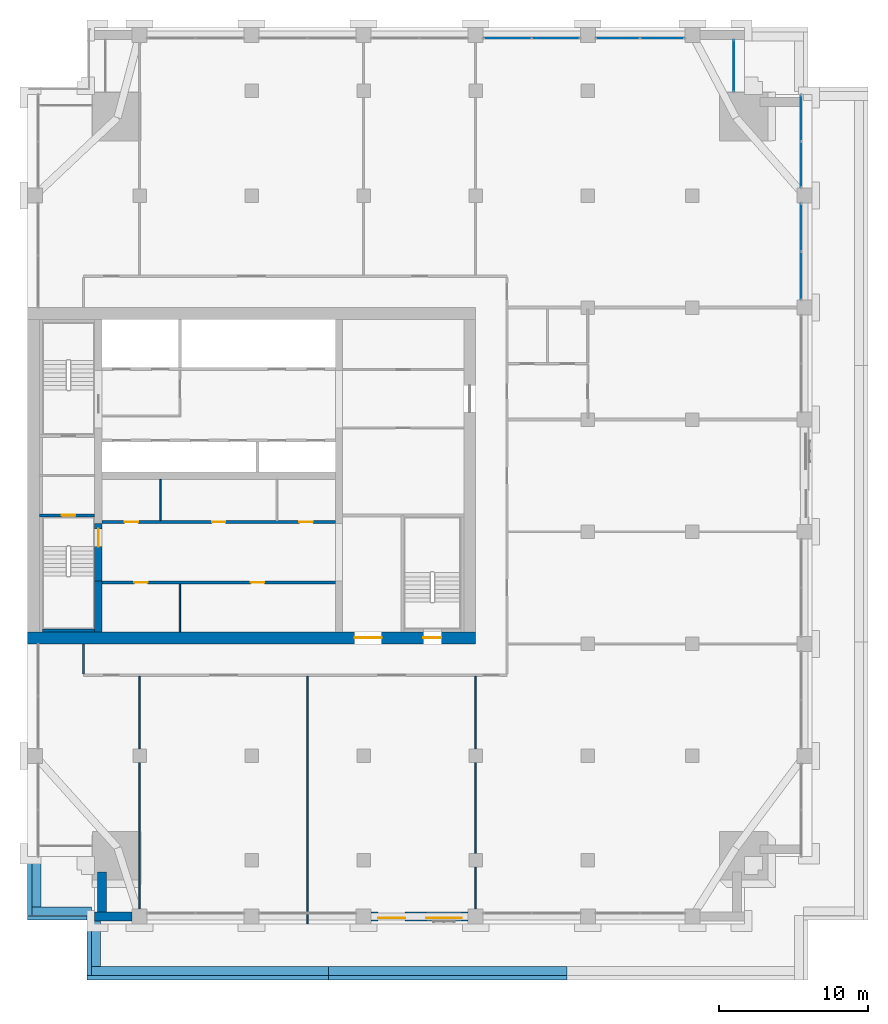
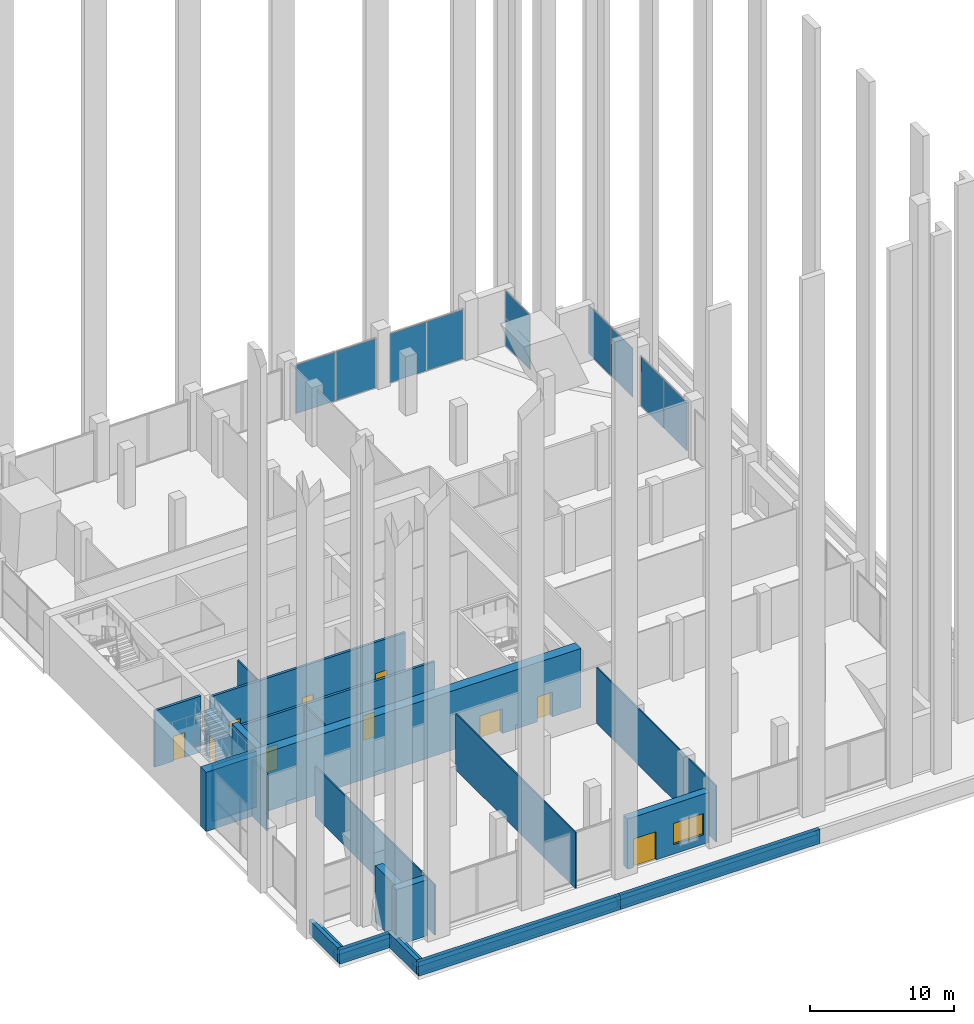
# One storey, part 10 of 19: 26 walls, 10 doors, 10 plates, 1 window, 11 openings, 5 elements without a shape of their own.
"""IFC4 building model written with IfcOpenShell, lengths in metres."""

from ifc_helpers import new_model, si_unit, direction, frame, frame_2d, origin, origin_2d, place, context, subcontext, project, spatial, rectangle, extrude, material, layer, layer_set, type_object, element, fill, aggregate, save


model = new_model("IFC4")

# Units and contexts
model_context = context("Model", 3, precision=1e-05, world=origin(), true_north=direction((0.0, 1.0)))
body_context = subcontext(model_context, "Body", "Model", "MODEL_VIEW")
ifc_project = project(units=[si_unit("LENGTHUNIT", "METRE"), si_unit("AREAUNIT", "SQUARE_METRE"), si_unit("VOLUMEUNIT", "CUBIC_METRE"), si_unit("PLANEANGLEUNIT", "RADIAN"), si_unit("MASSUNIT", "GRAM", prefix="KILO")], contexts=[model_context])

# Site, building, storey
site_placement = place(None, origin())
site = spatial("IfcSite", under=ifc_project, at=site_placement, CompositionType="ELEMENT")
building_placement = place(site_placement, origin())
building = spatial("IfcBuilding", under=site, at=building_placement, Name="Tamorin Gate", CompositionType="ELEMENT")
storey_placement = place(building_placement, frame((0.0, 0.0, 174.199951171875)))
storey = spatial("IfcBuildingStorey", under=building, at=storey_placement, Name="L42", CompositionType="ELEMENT", Elevation=174.199951171875)

# Curtain wall, plates
ifc_material_1 = material(Name="Aluminium mullions and transoms with clear glass", Category="aluminium")
ifc_layer_1 = layer(ifc_material_1, 0.159912109375)
ifc_layer_set_1 = layer_set([ifc_layer_1], Name="Curtain wall system CW2")
curtain_wall_type = type_object("IfcCurtainWallType", Name="Curtain wall system CW2", PredefinedType="NOTDEFINED", material=ifc_layer_set_1)
curtain_wall_1_placement = place(storey_placement, origin())
curtain_wall_1 = element("IfcCurtainWall", 1, at=curtain_wall_1_placement, inside=storey, type_object=curtain_wall_type, Name="Curtain wall", PredefinedType="NOTDEFINED")
ifc_material_2 = material(Name="Clear glass", Category="glass")
ifc_layer_2 = layer(ifc_material_2, 0.028076171875)
ifc_layer_set_2 = layer_set([ifc_layer_2], Name="Clear glass panel IGU 28")
plate_type = type_object("IfcPlateType", Name="Clear glass panel IGU 28", PredefinedType="CURTAIN_PANEL", material=ifc_layer_set_2)
plate_1_placement = place(storey_placement, frame((81.780029296875, 84.639892578125, 0.06005859375), z_axis=(0.0, 0.0, 1.0), x_axis=(0.0, 1.0, 0.0)))
plate_1 = element("IfcPlate", 2, at=plate_1_placement, type_object=plate_type, Name="CW2 panel 1.1", PredefinedType="CURTAIN_PANEL", context=body_context, shape_type="SweptSolid", body=[
    extrude(rectangle(XDim=3.159912109375, YDim=0.028076171875, at=origin_2d()), origin(), (0.0, 0.0, 1.0), 4.1298828125),
])
plate_2_placement = place(storey_placement, frame((81.780029296875, 87.860107421875, 0.06005859375), z_axis=(0.0, 0.0, 1.0), x_axis=(0.0, 1.0, 0.0)))
plate_2 = element("IfcPlate", 3, at=plate_2_placement, type_object=plate_type, Name="CW2 panel 2.1", PredefinedType="CURTAIN_PANEL", context=body_context, shape_type="SweptSolid", body=[
    extrude(rectangle(XDim=3.159912109375, YDim=0.028076171875, at=origin_2d()), origin(), (0.0, 0.0, 1.0), 4.1298828125),
])
aggregate(curtain_wall_1, [plate_1, plate_2])

curtain_wall_2_placement = place(storey_placement, origin())
curtain_wall_2 = element("IfcCurtainWall", 4, at=curtain_wall_2_placement, inside=storey, type_object=curtain_wall_type, Name="Curtain wall", PredefinedType="NOTDEFINED")
plate_3_placement = place(storey_placement, frame((81.780029296875, 92.077392578125, 0.06005859375), z_axis=(0.0, 0.0, 1.0), x_axis=(0.0, 1.0, 0.0)))
plate_3 = element("IfcPlate", 5, at=plate_3_placement, type_object=plate_type, Name="CW2 panel 1.1", PredefinedType="CURTAIN_PANEL", context=body_context, shape_type="SweptSolid", body=[
    extrude(rectangle(XDim=3.034912109375, YDim=0.028076171875, at=origin_2d()), origin(), (0.0, 0.0, 1.0), 4.1298828125),
])
plate_4_placement = place(storey_placement, frame((81.780029296875, 95.172607421875, 0.06005859375), z_axis=(0.0, 0.0, 1.0), x_axis=(0.0, 1.0, 0.0)))
plate_4 = element("IfcPlate", 6, at=plate_4_placement, type_object=plate_type, Name="CW2 panel 2.1", PredefinedType="CURTAIN_PANEL", context=body_context, shape_type="SweptSolid", body=[
    extrude(rectangle(XDim=3.034912109375, YDim=0.028076171875, at=origin_2d()), origin(), (0.0, 0.0, 1.0), 4.1298828125),
])
aggregate(curtain_wall_2, [plate_3, plate_4])

curtain_wall_3_placement = place(storey_placement, origin())
curtain_wall_3 = element("IfcCurtainWall", 7, at=curtain_wall_3_placement, inside=storey, type_object=curtain_wall_type, Name="Curtain wall", PredefinedType="NOTDEFINED")
plate_5_placement = place(storey_placement, frame((77.280029296875, 98.69384765625, 0.06005859375), z_axis=(0.0, 0.0, 1.0), x_axis=(0.0, 1.0, 0.0)))
plate_5 = element("IfcPlate", 8, at=plate_5_placement, type_object=plate_type, Name="CW2 panel 1.1", PredefinedType="CURTAIN_PANEL", context=body_context, shape_type="SweptSolid", body=[
    extrude(rectangle(XDim=3.392578125, YDim=0.028076171875, at=origin_2d()), origin(), (0.0, 0.0, 1.0), 2.284912109375),
])
plate_6_placement = place(storey_placement, frame((77.280029296875, 98.69384765625, 2.4052734375), z_axis=(0.0, 0.0, 1.0), x_axis=(0.0, 1.0, 0.0)))
plate_6 = element("IfcPlate", 9, at=plate_6_placement, type_object=plate_type, Name="CW2 panel 1.2", PredefinedType="CURTAIN_PANEL", context=body_context, shape_type="SweptSolid", body=[
    extrude(rectangle(XDim=3.392578125, YDim=0.028076171875, at=origin_2d()), origin(), (0.0, 0.0, 1.0), 2.284912109375),
])
aggregate(curtain_wall_3, [plate_5, plate_6])

curtain_wall_4_placement = place(storey_placement, origin())
curtain_wall_4 = element("IfcCurtainWall", 10, at=curtain_wall_4_placement, inside=storey, type_object=curtain_wall_type, Name="Curtain wall", PredefinedType="NOTDEFINED")
plate_7_placement = place(storey_placement, frame((72.485107421875, 100.530029296875, 0.06005859375), z_axis=(0.0, 0.0, 1.0), x_axis=(-1.0, 0.0, 0.0)))
plate_7 = element("IfcPlate", 11, at=plate_7_placement, type_object=plate_type, Name="CW2 panel 1.1", PredefinedType="CURTAIN_PANEL", context=body_context, shape_type="SweptSolid", body=[
    extrude(rectangle(XDim=2.909912109375, YDim=0.028076171875, at=origin_2d()), origin(), (0.0, 0.0, 1.0), 4.1298828125),
])
plate_8_placement = place(storey_placement, frame((69.514892578125, 100.530029296875, 0.06005859375), z_axis=(0.0, 0.0, 1.0), x_axis=(-1.0, 0.0, 0.0)))
plate_8 = element("IfcPlate", 12, at=plate_8_placement, type_object=plate_type, Name="CW2 panel 2.1", PredefinedType="CURTAIN_PANEL", context=body_context, shape_type="SweptSolid", body=[
    extrude(rectangle(XDim=2.909912109375, YDim=0.028076171875, at=origin_2d()), origin(), (0.0, 0.0, 1.0), 4.1298828125),
])
aggregate(curtain_wall_4, [plate_7, plate_8])

curtain_wall_5_placement = place(storey_placement, origin())
curtain_wall_5 = element("IfcCurtainWall", 13, at=curtain_wall_5_placement, inside=storey, type_object=curtain_wall_type, Name="Curtain wall", PredefinedType="NOTDEFINED")
plate_9_placement = place(storey_placement, frame((65.360107421875, 100.530029296875, 0.06005859375), z_axis=(0.0, 0.0, 1.0), x_axis=(-1.0, 0.0, 0.0)))
plate_9 = element("IfcPlate", 14, at=plate_9_placement, type_object=plate_type, Name="CW2 panel 1.1", PredefinedType="CURTAIN_PANEL", context=body_context, shape_type="SweptSolid", body=[
    extrude(rectangle(XDim=3.159912109375, YDim=0.028076171875, at=origin_2d()), origin(), (0.0, 0.0, 1.0), 4.1298828125),
])
plate_10_placement = place(storey_placement, frame((62.139892578125, 100.530029296875, 0.06005859375), z_axis=(0.0, 0.0, 1.0), x_axis=(-1.0, 0.0, 0.0)))
plate_10 = element("IfcPlate", 15, at=plate_10_placement, type_object=plate_type, Name="CW2 panel 2.1", PredefinedType="CURTAIN_PANEL", context=body_context, shape_type="SweptSolid", body=[
    extrude(rectangle(XDim=3.159912109375, YDim=0.028076171875, at=origin_2d()), origin(), (0.0, 0.0, 1.0), 4.1298828125),
])
aggregate(curtain_wall_5, [plate_9, plate_10])

# Wall
ifc_material_3 = material(Name="Precast concrete C40/50", Category="concrete")
ifc_layer_3 = layer(ifc_material_3, 0.60009765625)
ifc_layer_set_3 = layer_set([ifc_layer_3], Name="Precast concrete C40/50")
wall_type_1 = type_object("IfcWallType", Name="Board-marked concrete facade panel 600", PredefinedType="SOLIDWALL", material=ifc_layer_set_3)
wall_1_placement = place(storey_placement, frame((34.5, 41.75, 0.0), z_axis=(0.0, 0.0, 1.0), x_axis=(1.0, 0.0, 0.0)))
element("IfcWall", 16, at=wall_1_placement, inside=storey, type_object=wall_type_1, Name="Facade panel", PredefinedType="SOLIDWALL", context=body_context, shape_type="SweptSolid", body=[
    extrude(rectangle(XDim=2.5, YDim=0.60009765625, at=frame_2d((1.25, 0.0))), origin(), (0.0, 0.0, 1.0), 4.75),
])

# Wall, openings, window, door
wall_2_placement = place(storey_placement, frame((53.0, 41.75, 0.0), z_axis=(0.0, 0.0, 1.0), x_axis=(1.0, 0.0, 0.0)))
wall_2 = element("IfcWall", 17, at=wall_2_placement, inside=storey, type_object=wall_type_1, Name="Facade panel", PredefinedType="SOLIDWALL", context=body_context, shape_type="SweptSolid", body=[
    extrude(rectangle(XDim=6.5, YDim=0.60009765625, at=frame_2d((3.25, 0.0))), origin(), (0.0, 0.0, 1.0), 4.25),
])
opening_1_placement = place(wall_2_placement, frame((0.47509765625, 0.0, 0.0)))
opening_1 = element("IfcOpeningElement", 18, at=opening_1_placement, cuts=wall_2, Name="Opening DX1", PredefinedType="OPENING", context=body_context, shape_type="SweptSolid", body=[
    extrude(rectangle(XDim=1.800048828125, YDim=2.39990234375, at=frame_2d((0.89990234375, 1.199951171875))), frame((0.0, 0.31005859375, 0.0), z_axis=(0.0, -1.0, 0.0), x_axis=(1.0, 0.0, 0.0)), (0.0, 0.0, 1.0), 0.6201171875),
])
opening_2_placement = place(wall_2_placement, frame((3.675048828125, 0.0, 0.800048828125)))
opening_2 = element("IfcOpeningElement", 19, at=opening_2_placement, cuts=wall_2, Name="Opening WN1", PredefinedType="OPENING", context=body_context, shape_type="SweptSolid", body=[
    extrude(rectangle(XDim=2.39990234375, YDim=1.800048828125, at=frame_2d((1.199951171875, 0.89990234375))), frame((0.0, 0.31005859375, 0.0), z_axis=(0.0, -1.0, 0.0), x_axis=(1.0, 0.0, 0.0)), (0.0, 0.0, 1.0), 0.6201171875),
])
ifc_material_4 = material(Name="Clear glass in aluminium frame", Category="aluminium")
window_type = type_object("IfcWindowType", Name="Deep-set window 2400x1800", PartitioningType="SINGLE_PANEL", PredefinedType="WINDOW", material=ifc_material_4)
window_placement = place(opening_2_placement, origin())
window = element("IfcWindow", 20, at=window_placement, inside=storey, type_object=window_type, Name="Deep-set window", OverallHeight=1.800048828125, OverallWidth=2.39990234375, PartitioningType="SINGLE_PANEL", PredefinedType="WINDOW", context=body_context, shape_type="SweptSolid", body=[
    extrude(rectangle(XDim=2.39990234375, YDim=1.800048828125, at=frame_2d((1.199951171875, 0.89990234375))), frame((0.0, -0.070068359375, 0.0), z_axis=(0.0, -1.0, 0.0), x_axis=(1.0, 0.0, 0.0)), (0.0, 0.0, 1.0), 0.06005859375),
])
fill(opening_2, window)
door_type_1 = type_object("IfcDoorType", Name="Terrace door 1800x2400", OperationType="DOUBLE_DOOR_SINGLE_SWING", PredefinedType="DOOR", material=ifc_material_4)
door_1_placement = place(opening_1_placement, origin())
door_1 = element("IfcDoor", 21, at=door_1_placement, inside=storey, type_object=door_type_1, Name="Terrace door", OperationType="SINGLE_SWING_LEFT", OverallHeight=2.39990234375, OverallWidth=1.800048828125, PredefinedType="DOOR", context=body_context, shape_type="SweptSolid", body=[
    extrude(rectangle(XDim=1.800048828125, YDim=2.39990234375, at=frame_2d((0.89990234375, 1.199951171875))), frame((0.0, -0.0751953125, 0.0), z_axis=(0.0, -1.0, 0.0), x_axis=(1.0, 0.0, 0.0)), (0.0, 0.0, 1.0), 0.050048828125),
])
fill(opening_1, door_1)

# Walls
wall_3_placement = place(storey_placement, frame((35.0, 44.71875, 0.0), z_axis=(0.0, 0.0, 1.0), x_axis=(0.0, -1.0, 0.0)))
element("IfcWall", 22, at=wall_3_placement, inside=storey, type_object=wall_type_1, Name="Facade panel", PredefinedType="SOLIDWALL", context=body_context, shape_type="SweptSolid", body=[
    extrude(rectangle(XDim=2.668701171875, YDim=0.60009765625, at=frame_2d((1.33447265625, 0.0))), origin(), (0.0, 0.0, 1.0), 4.75),
])
ifc_material_5 = material(Name="Gypsum board partition")
ifc_layer_4 = layer(ifc_material_5, 0.14990234375)
ifc_layer_set_4 = layer_set([ifc_layer_4], Name="Corridor wall 150")
wall_type_2 = type_object("IfcWallType", Name="Corridor wall 150", PredefinedType="PARTITIONING", material=ifc_layer_set_4)
wall_4_placement = place(storey_placement, frame((33.75, 57.97509765625, 0.0), z_axis=(0.0, 0.0, 1.0), x_axis=(0.0, 1.0, 0.0)))
element("IfcWall", 23, at=wall_4_placement, inside=storey, type_object=wall_type_2, Name="Corridor wall 150", PredefinedType="PARTITIONING", context=body_context, shape_type="SweptSolid", body=[
    extrude(rectangle(XDim=2.02490234375, YDim=0.14990234375, at=frame_2d((1.012451171875, 0.0))), origin(), (0.0, 0.0, 1.0), 4.75),
])
ifc_material_6 = material(Name="Concrete C60/75", Category="concrete")
ifc_layer_5 = layer(ifc_material_6, 0.5)
ifc_layer_set_5 = layer_set([ifc_layer_5], Name="RC core internal wall 500 C60/75")
wall_type_3 = type_object("IfcWallType", Name="RC core internal wall 500 C60/75", PredefinedType="SHEAR", material=ifc_layer_set_5)
wall_5_placement = place(storey_placement, frame((34.75, 60.800048828125, 0.0), z_axis=(0.0, 0.0, 1.0), x_axis=(0.0, 1.0, 0.0)))
element("IfcWall", 24, at=wall_5_placement, inside=storey, type_object=wall_type_3, Name="Core cross wall L42", PredefinedType="SHEAR", context=body_context, shape_type="SweptSolid", body=[
    extrude(rectangle(XDim=3.39990234375, YDim=0.5, at=frame_2d((1.699951171875, 0.0))), origin(), (0.0, 0.0, 1.0), 5.0),
])

# Wall, openings, doors
ifc_layer_6 = layer(ifc_material_6, 0.800048828125)
ifc_layer_set_6 = layer_set([ifc_layer_6], Name="RC core wall 800 C60/75")
wall_type_4 = type_object("IfcWallType", Name="RC core wall 800 C60/75", PredefinedType="SHEAR", material=ifc_layer_set_6)
wall_6_placement = place(storey_placement, frame((30.0, 60.39990234375, 0.0), z_axis=(0.0, 0.0, 1.0), x_axis=(1.0, 0.0, 0.0)))
wall_6 = element("IfcWall", 25, at=wall_6_placement, inside=storey, type_object=wall_type_4, Name="Core wall L42", PredefinedType="SHEAR", context=body_context, shape_type="SweptSolid", body=[
    extrude(rectangle(XDim=30.0, YDim=0.800048828125, at=frame_2d((15.0, 0.0))), origin(), (0.0, 0.0, 1.0), 5.0),
])
opening_3_placement = place(wall_6_placement, frame((21.89990234375, 0.0, 0.0)))
opening_3 = element("IfcOpeningElement", 26, at=opening_3_placement, cuts=wall_6, Name="Opening DE1", PredefinedType="OPENING", context=body_context, shape_type="SweptSolid", body=[
    extrude(rectangle(XDim=1.800048828125, YDim=2.10009765625, at=frame_2d((0.89990234375, 1.050048828125))), frame((0.0, 0.409912109375, 0.0), z_axis=(0.0, -1.0, 0.0), x_axis=(1.0, 0.0, 0.0)), (0.0, 0.0, 1.0), 0.820068359375),
])
opening_4_placement = place(wall_6_placement, frame((26.5, 0.0, 0.0)))
opening_4 = element("IfcOpeningElement", 27, at=opening_4_placement, cuts=wall_6, Name="Opening DS1", PredefinedType="OPENING", context=body_context, shape_type="SweptSolid", body=[
    extrude(rectangle(XDim=1.199951171875, YDim=2.10009765625, at=frame_2d((0.60009765625, 1.050048828125))), frame((0.0, 0.409912109375, 0.0), z_axis=(0.0, -1.0, 0.0), x_axis=(1.0, 0.0, 0.0)), (0.0, 0.0, 1.0), 0.820068359375),
])
ifc_material_7 = material(Name="Steel fire door", Category="steel")
door_type_2 = type_object("IfcDoorType", Name="Lobby exit double door 1800 x 2100 EI 60", OperationType="DOUBLE_DOOR_SINGLE_SWING", PredefinedType="DOOR", material=ifc_material_7)
door_2_placement = place(opening_3_placement, origin())
door_2 = element("IfcDoor", 28, at=door_2_placement, inside=storey, type_object=door_type_2, Name="Lift lobby A exit door", OperationType="DOUBLE_DOOR_SINGLE_SWING", OverallHeight=2.10009765625, OverallWidth=1.800048828125, PredefinedType="DOOR", context=body_context, shape_type="SweptSolid", body=[
    extrude(rectangle(XDim=1.800048828125, YDim=2.10009765625, at=frame_2d((0.89990234375, 1.050048828125))), frame((0.0, 0.02490234375, 0.0), z_axis=(0.0, -1.0, 0.0), x_axis=(1.0, 0.0, 0.0)), (0.0, 0.0, 1.0), 0.050048828125),
])
fill(opening_3, door_2)
door_type_3 = type_object("IfcDoorType", Name="Stair door 1200 x 2100 EI 90", OperationType="SINGLE_SWING_LEFT", PredefinedType="DOOR", material=ifc_material_7)
door_3_placement = place(opening_4_placement, origin())
door_3 = element("IfcDoor", 29, at=door_3_placement, inside=storey, type_object=door_type_3, Name="ST3 door", OperationType="SINGLE_SWING_LEFT", OverallHeight=2.10009765625, OverallWidth=1.199951171875, PredefinedType="DOOR", context=body_context, shape_type="SweptSolid", body=[
    extrude(rectangle(XDim=1.199951171875, YDim=2.10009765625, at=frame_2d((0.60009765625, 1.050048828125))), frame((0.0, 0.02490234375, 0.0), z_axis=(0.0, -1.0, 0.0), x_axis=(1.0, 0.0, 0.0)), (0.0, 0.0, 1.0), 0.050048828125),
])
fill(opening_4, door_3)

# Walls
ifc_layer_7 = layer(ifc_material_5, 0.10009765625)
ifc_layer_set_7 = layer_set([ifc_layer_7], Name="Room partition 100")
wall_type_5 = type_object("IfcWallType", Name="Room partition 100", PredefinedType="PARTITIONING", material=ifc_layer_set_7)
wall_7_placement = place(storey_placement, frame((37.5, 41.25, 0.0), z_axis=(0.0, 0.0, 1.0), x_axis=(0.0, 1.0, 0.0)))
element("IfcWall", 30, at=wall_7_placement, inside=storey, type_object=wall_type_5, Name="Room partition 100", PredefinedType="PARTITIONING", context=body_context, shape_type="SweptSolid", body=[
    extrude(rectangle(XDim=16.574951171875, YDim=0.10009765625, at=frame_2d((8.28759765625, 0.0))), origin(), (0.0, 0.0, 1.0), 4.25),
])
for number, where, z_axis, x_axis, name in (
    (31, (48.75, 41.25, 0.0), (0.0, 0.0, 1.0), (0.0, 1.0, 0.0), "Room partition 100"),
    (32, (60.0, 41.25, 0.0), (0.0, 0.0, 1.0), (0.0, 1.0, 0.0), "Room partition 100"),
):
    element("IfcWall", number, at=place(storey_placement, frame(where, z_axis=z_axis, x_axis=x_axis)), inside=storey, type_object=wall_type_5, Name=name, PredefinedType="PARTITIONING", context=body_context, shape_type="SweptSolid", body=[
        extrude(rectangle(XDim=16.574951171875, YDim=0.10009765625, at=frame_2d((8.28759765625, 0.0))), origin(), (0.0, 0.0, 1.0), 4.75),
    ])

# Wall, openings, doors
ifc_layer_8 = layer(ifc_material_5, 0.199951171875)
ifc_layer_set_8 = layer_set([ifc_layer_8], Name="Service room face wall 200 EI 60")
wall_type_6 = type_object("IfcWallType", Name="Service room face wall 200 EI 60", PredefinedType="PARTITIONING", material=ifc_layer_set_8)
wall_8_placement = place(storey_placement, frame((35.0, 64.10009765625, 0.0), z_axis=(0.0, 0.0, 1.0), x_axis=(1.0, 0.0, 0.0)))
wall_8 = element("IfcWall", 33, at=wall_8_placement, inside=storey, type_object=wall_type_6, Name="Service room face wall", PredefinedType="PARTITIONING", context=body_context, shape_type="SweptSolid", body=[
    extrude(rectangle(XDim=15.60009765625, YDim=0.199951171875, at=frame_2d((7.800048828125, 0.0))), origin(), (0.0, 0.0, 1.0), 4.75),
])
opening_5_placement = place(wall_8_placement, frame((2.14990234375, 0.0, 0.0)))
opening_5 = element("IfcOpeningElement", 34, at=opening_5_placement, cuts=wall_8, Name="Opening DK1", PredefinedType="OPENING", context=body_context, shape_type="SweptSolid", body=[
    extrude(rectangle(XDim=0.89990234375, YDim=2.10009765625, at=frame_2d((0.449951171875, 1.050048828125))), frame((0.0, 0.10986328125, 0.0), z_axis=(0.0, -1.0, 0.0), x_axis=(1.0, 0.0, 0.0)), (0.0, 0.0, 1.0), 0.219970703125),
])
opening_6_placement = place(wall_8_placement, frame((9.949951171875, 0.0, 0.0)))
opening_6 = element("IfcOpeningElement", 35, at=opening_6_placement, cuts=wall_8, Name="Opening DK1", PredefinedType="OPENING", context=body_context, shape_type="SweptSolid", body=[
    extrude(rectangle(XDim=0.89990234375, YDim=2.10009765625, at=frame_2d((0.449951171875, 1.050048828125))), frame((0.0, 0.10986328125, 0.0), z_axis=(0.0, -1.0, 0.0), x_axis=(1.0, 0.0, 0.0)), (0.0, 0.0, 1.0), 0.219970703125),
])
ifc_material_8 = material(Name="Timber fire door", Category="wood")
door_type_4 = type_object("IfcDoorType", Name="Service room door 900 x 2100 EI 60", OperationType="SINGLE_SWING_LEFT", PredefinedType="DOOR", material=ifc_material_8)
door_4_placement = place(opening_5_placement, origin())
door_4 = element("IfcDoor", 36, at=door_4_placement, inside=storey, type_object=door_type_4, Name="Door Parcel and storage room", OperationType="SINGLE_SWING_RIGHT", OverallHeight=2.10009765625, OverallWidth=0.89990234375, PredefinedType="DOOR", context=body_context, shape_type="SweptSolid", body=[
    extrude(rectangle(XDim=0.89990234375, YDim=2.10009765625, at=frame_2d((0.449951171875, 1.050048828125))), frame((0.0, 0.02490234375, 0.0), z_axis=(0.0, -1.0, 0.0), x_axis=(1.0, 0.0, 0.0)), (0.0, 0.0, 1.0), 0.050048828125),
])
fill(opening_5, door_4)
door_5_placement = place(opening_6_placement, origin())
door_5 = element("IfcDoor", 37, at=door_5_placement, inside=storey, type_object=door_type_4, Name="Door Refuse and recycling room", OperationType="SINGLE_SWING_LEFT", OverallHeight=2.10009765625, OverallWidth=0.89990234375, PredefinedType="DOOR", context=body_context, shape_type="SweptSolid", body=[
    extrude(rectangle(XDim=0.89990234375, YDim=2.10009765625, at=frame_2d((0.449951171875, 1.050048828125))), frame((0.0, 0.02490234375, 0.0), z_axis=(0.0, -1.0, 0.0), x_axis=(1.0, 0.0, 0.0)), (0.0, 0.0, 1.0), 0.050048828125),
])
fill(opening_6, door_5)

wall_9_placement = place(storey_placement, frame((35.0, 68.14990234375, 0.0), z_axis=(0.0, 0.0, 1.0), x_axis=(1.0, 0.0, 0.0)))
wall_9 = element("IfcWall", 38, at=wall_9_placement, inside=storey, type_object=wall_type_6, Name="Service room face wall", PredefinedType="PARTITIONING", context=body_context, shape_type="SweptSolid", body=[
    extrude(rectangle(XDim=15.60009765625, YDim=0.199951171875, at=frame_2d((7.800048828125, 0.0))), origin(), (0.0, 0.0, 1.0), 4.75),
])
opening_7_placement = place(wall_9_placement, frame((1.5, 0.0, 0.0)))
opening_7 = element("IfcOpeningElement", 39, at=opening_7_placement, cuts=wall_9, Name="Opening DK1", PredefinedType="OPENING", context=body_context, shape_type="SweptSolid", body=[
    extrude(rectangle(XDim=0.89990234375, YDim=2.10009765625, at=frame_2d((0.449951171875, 1.050048828125))), frame((0.0, 0.10986328125, 0.0), z_axis=(0.0, -1.0, 0.0), x_axis=(1.0, 0.0, 0.0)), (0.0, 0.0, 1.0), 0.219970703125),
])
opening_8_placement = place(wall_9_placement, frame((7.35009765625, 0.0, 0.0)))
opening_8 = element("IfcOpeningElement", 40, at=opening_8_placement, cuts=wall_9, Name="Opening DK1", PredefinedType="OPENING", context=body_context, shape_type="SweptSolid", body=[
    extrude(rectangle(XDim=0.89990234375, YDim=2.10009765625, at=frame_2d((0.449951171875, 1.050048828125))), frame((0.0, 0.10986328125, 0.0), z_axis=(0.0, -1.0, 0.0), x_axis=(1.0, 0.0, 0.0)), (0.0, 0.0, 1.0), 0.219970703125),
])
opening_9_placement = place(wall_9_placement, frame((13.199951171875, 0.0, 0.0)))
opening_9 = element("IfcOpeningElement", 41, at=opening_9_placement, cuts=wall_9, Name="Opening DK1", PredefinedType="OPENING", context=body_context, shape_type="SweptSolid", body=[
    extrude(rectangle(XDim=0.89990234375, YDim=2.10009765625, at=frame_2d((0.449951171875, 1.050048828125))), frame((0.0, 0.10986328125, 0.0), z_axis=(0.0, -1.0, 0.0), x_axis=(1.0, 0.0, 0.0)), (0.0, 0.0, 1.0), 0.219970703125),
])
door_6_placement = place(opening_7_placement, origin())
door_6 = element("IfcDoor", 42, at=door_6_placement, inside=storey, type_object=door_type_4, Name="Door Housekeeping store", OperationType="SINGLE_SWING_RIGHT", OverallHeight=2.10009765625, OverallWidth=0.89990234375, PredefinedType="DOOR", context=body_context, shape_type="SweptSolid", body=[
    extrude(rectangle(XDim=0.89990234375, YDim=2.10009765625, at=frame_2d((0.449951171875, 1.050048828125))), frame((0.0, 0.02490234375, 0.0), z_axis=(0.0, -1.0, 0.0), x_axis=(1.0, 0.0, 0.0)), (0.0, 0.0, 1.0), 0.050048828125),
])
fill(opening_7, door_6)
door_7_placement = place(opening_8_placement, origin())
door_7 = element("IfcDoor", 43, at=door_7_placement, inside=storey, type_object=door_type_4, Name="Door Electrical and IT room", OperationType="SINGLE_SWING_LEFT", OverallHeight=2.10009765625, OverallWidth=0.89990234375, PredefinedType="DOOR", context=body_context, shape_type="SweptSolid", body=[
    extrude(rectangle(XDim=0.89990234375, YDim=2.10009765625, at=frame_2d((0.449951171875, 1.050048828125))), frame((0.0, 0.02490234375, 0.0), z_axis=(0.0, -1.0, 0.0), x_axis=(1.0, 0.0, 0.0)), (0.0, 0.0, 1.0), 0.050048828125),
])
fill(opening_8, door_7)
door_8_placement = place(opening_9_placement, origin())
door_8 = element("IfcDoor", 44, at=door_8_placement, inside=storey, type_object=door_type_4, Name="Door Cleaner's store", OperationType="SINGLE_SWING_RIGHT", OverallHeight=2.10009765625, OverallWidth=0.89990234375, PredefinedType="DOOR", context=body_context, shape_type="SweptSolid", body=[
    extrude(rectangle(XDim=0.89990234375, YDim=2.10009765625, at=frame_2d((0.449951171875, 1.050048828125))), frame((0.0, 0.02490234375, 0.0), z_axis=(0.0, -1.0, 0.0), x_axis=(1.0, 0.0, 0.0)), (0.0, 0.0, 1.0), 0.050048828125),
])
fill(opening_9, door_8)

# Walls
ifc_layer_9 = layer(ifc_material_5, 0.10009765625)
ifc_layer_set_9 = layer_set([ifc_layer_9], Name="Service room partition 100 EI 60")
wall_type_7 = type_object("IfcWallType", Name="Service room partition 100 EI 60", PredefinedType="PARTITIONING", material=ifc_layer_set_9)
wall_10_placement = place(storey_placement, frame((40.199951171875, 60.800048828125, 0.0), z_axis=(0.0, 0.0, 1.0), x_axis=(0.0, 1.0, 0.0)))
element("IfcWall", 45, at=wall_10_placement, inside=storey, type_object=wall_type_7, Name="Service room partition", PredefinedType="PARTITIONING", context=body_context, shape_type="SweptSolid", body=[
    extrude(rectangle(XDim=3.199951171875, YDim=0.10009765625, at=frame_2d((1.60009765625, 0.0))), origin(), (0.0, 0.0, 1.0), 4.75),
])
wall_11_placement = place(storey_placement, frame((38.89990234375, 68.25, 0.0), z_axis=(0.0, 0.0, 1.0), x_axis=(0.0, 1.0, 0.0)))
element("IfcWall", 46, at=wall_11_placement, inside=storey, type_object=wall_type_7, Name="Service room partition", PredefinedType="PARTITIONING", context=body_context, shape_type="SweptSolid", body=[
    extrude(rectangle(XDim=2.75, YDim=0.10009765625, at=frame_2d((1.375, 0.0))), origin(), (0.0, 0.0, 1.0), 4.75),
])

# Wall, opening, door
ifc_material_9 = material(Name="Concrete C40/50", Category="concrete")
ifc_layer_10 = layer(ifc_material_9, 0.199951171875)
ifc_layer_set_10 = layer_set([ifc_layer_10], Name="Stair enclosure wall 200 EI 120 C40/50")
wall_type_8 = type_object("IfcWallType", Name="Stair enclosure wall 200 EI 120 C40/50", PredefinedType="SOLIDWALL", material=ifc_layer_set_10)
wall_12_placement = place(storey_placement, frame((30.800048828125, 68.60009765625, 0.0), z_axis=(0.0, 0.0, 1.0), x_axis=(1.0, 0.0, 0.0)))
wall_12 = element("IfcWall", 47, at=wall_12_placement, inside=storey, type_object=wall_type_8, Name="Stair enclosure wall", PredefinedType="SOLIDWALL", context=body_context, shape_type="SweptSolid", body=[
    extrude(rectangle(XDim=3.699951171875, YDim=0.199951171875, at=frame_2d((1.85009765625, 0.0))), origin(), (0.0, 0.0, 1.0), 4.75),
])
opening_10_placement = place(wall_12_placement, frame((1.5, 0.0, 0.0)))
opening_10 = element("IfcOpeningElement", 48, at=opening_10_placement, cuts=wall_12, Name="Opening DR1", PredefinedType="OPENING", context=body_context, shape_type="SweptSolid", body=[
    extrude(rectangle(XDim=0.89990234375, YDim=2.10009765625, at=frame_2d((0.449951171875, 1.050048828125))), frame((0.0, 0.10986328125, 0.0), z_axis=(0.0, -1.0, 0.0), x_axis=(1.0, 0.0, 0.0)), (0.0, 0.0, 1.0), 0.219970703125),
])
door_type_5 = type_object("IfcDoorType", Name="Riser access door 900 x 2100 EI 120", OperationType="SINGLE_SWING_LEFT", PredefinedType="DOOR", material=ifc_material_7)
door_9_placement = place(opening_10_placement, origin())
door_9 = element("IfcDoor", 49, at=door_9_placement, inside=storey, type_object=door_type_5, Name="Electrical riser door", OperationType="SINGLE_SWING_LEFT", OverallHeight=2.10009765625, OverallWidth=0.89990234375, PredefinedType="DOOR", context=body_context, shape_type="SweptSolid", body=[
    extrude(rectangle(XDim=0.89990234375, YDim=2.10009765625, at=frame_2d((0.449951171875, 1.050048828125))), frame((0.0, 0.02490234375, 0.0), z_axis=(0.0, -1.0, 0.0), x_axis=(1.0, 0.0, 0.0)), (0.0, 0.0, 1.0), 0.050048828125),
])
fill(opening_10, door_9)

# Wall
ifc_layer_11 = layer(ifc_material_6, 0.199951171875)
ifc_layer_set_11 = layer_set([ifc_layer_11], Name="Stair lining wall 200 EI 120 C60/75")
wall_type_9 = type_object("IfcWallType", Name="Stair lining wall 200 EI 120 C60/75", PredefinedType="SOLIDWALL", material=ifc_layer_set_11)
wall_13_placement = place(storey_placement, frame((31.0, 60.89990234375, 0.0), z_axis=(0.0, 0.0, 1.0), x_axis=(1.0, 0.0, 0.0)))
element("IfcWall", 50, at=wall_13_placement, inside=storey, type_object=wall_type_9, Name="Stair lining wall", PredefinedType="SOLIDWALL", context=body_context, shape_type="SweptSolid", body=[
    extrude(rectangle(XDim=3.5, YDim=0.199951171875, at=frame_2d((1.75, 0.0))), origin(), (0.0, 0.0, 1.0), 4.75),
])

# Wall, opening, door
ifc_material_10 = material(Name="Concrete C32/40", Category="concrete")
ifc_layer_12 = layer(ifc_material_10, 0.5)
ifc_layer_set_12 = layer_set([ifc_layer_12], Name="Stair lobby infill wall 500 EI 120")
wall_type_10 = type_object("IfcWallType", Name="Stair lobby infill wall 500 EI 120", PredefinedType="SOLIDWALL", material=ifc_layer_set_12)
wall_14_placement = place(storey_placement, frame((34.75, 64.199951171875, 0.0), z_axis=(0.0, 0.0, 1.0), x_axis=(0.0, 1.0, 0.0)))
wall_14 = element("IfcWall", 51, at=wall_14_placement, inside=storey, type_object=wall_type_10, Name="Stair lobby infill wall", PredefinedType="SOLIDWALL", context=body_context, shape_type="SweptSolid", body=[
    extrude(rectangle(XDim=3.85009765625, YDim=0.5, at=frame_2d((1.925048828125, 0.0))), origin(), (0.0, 0.0, 1.0), 3.800048828125),
])
opening_11_placement = place(wall_14_placement, frame((2.300048828125, 0.0, 0.0)))
opening_11 = element("IfcOpeningElement", 52, at=opening_11_placement, cuts=wall_14, Name="Opening DS1", PredefinedType="OPENING", context=body_context, shape_type="SweptSolid", body=[
    extrude(rectangle(XDim=1.199951171875, YDim=2.10009765625, at=frame_2d((0.60009765625, 1.050048828125))), frame((0.0, 0.260009765625, 0.0), z_axis=(0.0, -1.0, 0.0), x_axis=(1.0, 0.0, 0.0)), (0.0, 0.0, 1.0), 0.52001953125),
])
door_10_placement = place(opening_11_placement, origin())
door_10 = element("IfcDoor", 53, at=door_10_placement, inside=storey, type_object=door_type_3, Name="ST1 door", OperationType="SINGLE_SWING_LEFT", OverallHeight=2.10009765625, OverallWidth=1.199951171875, PredefinedType="DOOR", context=body_context, shape_type="SweptSolid", body=[
    extrude(rectangle(XDim=1.199951171875, YDim=2.10009765625, at=frame_2d((0.60009765625, 1.050048828125))), frame((0.0, 0.02490234375, 0.0), z_axis=(0.0, -1.0, 0.0), x_axis=(1.0, 0.0, 0.0)), (0.0, 0.0, 1.0), 0.050048828125),
])
fill(opening_11, door_10)

# Walls
ifc_layer_13 = layer(ifc_material_3, 0.300048828125)
ifc_layer_set_13 = layer_set([ifc_layer_13], Name="Terrace parapet 300")
wall_type_11 = type_object("IfcWallType", Name="Terrace parapet 300", PredefinedType="PARAPET", material=ifc_layer_set_13)
wall_15_placement = place(storey_placement, frame((50.13330078125, 37.64990234375, 0.0), z_axis=(0.0, 0.0, 1.0), x_axis=(1.0, 0.0, 0.0)))
element("IfcWall", 54, at=wall_15_placement, inside=storey, type_object=wall_type_11, Name="Terrace parapet", PredefinedType="PARAPET", context=body_context, shape_type="SweptSolid", body=[
    extrude(rectangle(XDim=15.9833984375, YDim=0.300048828125, at=frame_2d((7.99169921875, 0.0))), origin(), (0.0, 0.0, 1.0), 1.199951171875),
])
wall_16_placement = place(storey_placement, frame((34.0, 37.64990234375, 0.0), z_axis=(0.0, 0.0, 1.0), x_axis=(1.0, 0.0, 0.0)))
element("IfcWall", 55, at=wall_16_placement, inside=storey, type_object=wall_type_11, Name="Terrace parapet", PredefinedType="PARAPET", context=body_context, shape_type="SweptSolid", body=[
    extrude(rectangle(XDim=16.13330078125, YDim=0.300048828125, at=frame_2d((8.066650390625, 0.0))), origin(), (0.0, 0.0, 1.0), 1.199951171875),
])
for number, where, z_axis, x_axis, name in (
    (56, (34.14990234375, 37.800048828125, 0.0), (0.0, 0.0, 1.0), (0.0, 1.0, 0.0), "Terrace parapet"),
    (57, (30.0, 41.64990234375, 0.0), (0.0, 0.0, 1.0), (1.0, 0.0, 0.0), "Terrace parapet"),
):
    element("IfcWall", number, at=place(storey_placement, frame(where, z_axis=z_axis, x_axis=x_axis)), inside=storey, type_object=wall_type_11, Name=name, PredefinedType="PARAPET", context=body_context, shape_type="SweptSolid", body=[
        extrude(rectangle(XDim=4.0, YDim=0.300048828125, at=frame_2d((2.0, 0.0))), origin(), (0.0, 0.0, 1.0), 1.199951171875),
    ])
wall_17_placement = place(storey_placement, frame((30.14990234375, 41.800048828125, 0.0), z_axis=(0.0, 0.0, 1.0), x_axis=(0.0, 1.0, 0.0)))
element("IfcWall", 58, at=wall_17_placement, inside=storey, type_object=wall_type_11, Name="Terrace parapet", PredefinedType="PARAPET", context=body_context, shape_type="SweptSolid", body=[
    extrude(rectangle(XDim=3.949951171875, YDim=0.300048828125, at=frame_2d((1.97509765625, 0.0))), origin(), (0.0, 0.0, 1.0), 1.199951171875),
])
ifc_layer_14 = layer(ifc_material_3, 0.60009765625)
ifc_layer_set_14 = layer_set([ifc_layer_14], Name="Terrace planter wall 600")
wall_type_12 = type_object("IfcWallType", Name="Terrace planter wall 600", PredefinedType="STANDARD", material=ifc_layer_set_14)
wall_18_placement = place(storey_placement, frame((50.13330078125, 38.10009765625, 0.0), z_axis=(0.0, 0.0, 1.0), x_axis=(1.0, 0.0, 0.0)))
element("IfcWall", 59, at=wall_18_placement, inside=storey, type_object=wall_type_12, Name="PLANTER wall", PredefinedType="STANDARD", context=body_context, shape_type="SweptSolid", body=[
    extrude(rectangle(XDim=15.9833984375, YDim=0.60009765625, at=frame_2d((7.99169921875, 0.0))), origin(), (0.0, 0.0, 1.0), 0.60009765625),
])
wall_19_placement = place(storey_placement, frame((34.0, 38.10009765625, 0.0), z_axis=(0.0, 0.0, 1.0), x_axis=(1.0, 0.0, 0.0)))
element("IfcWall", 60, at=wall_19_placement, inside=storey, type_object=wall_type_12, Name="PLANTER wall", PredefinedType="STANDARD", context=body_context, shape_type="SweptSolid", body=[
    extrude(rectangle(XDim=16.13330078125, YDim=0.60009765625, at=frame_2d((8.066650390625, 0.0))), origin(), (0.0, 0.0, 1.0), 0.60009765625),
])
wall_20_placement = place(storey_placement, frame((34.60009765625, 38.39990234375, 0.0), z_axis=(0.0, 0.0, 1.0), x_axis=(0.0, 1.0, 0.0)))
element("IfcWall", 61, at=wall_20_placement, inside=storey, type_object=wall_type_12, Name="PLANTER wall", PredefinedType="STANDARD", context=body_context, shape_type="SweptSolid", body=[
    extrude(rectangle(XDim=3.400146484375, YDim=0.60009765625, at=frame_2d((1.7001953125, 0.0))), origin(), (0.0, 0.0, 1.0), 0.60009765625),
])
wall_21_placement = place(storey_placement, frame((30.0, 42.10009765625, 0.0), z_axis=(0.0, 0.0, 1.0), x_axis=(1.0, 0.0, 0.0)))
element("IfcWall", 62, at=wall_21_placement, inside=storey, type_object=wall_type_12, Name="PLANTER wall", PredefinedType="STANDARD", context=body_context, shape_type="SweptSolid", body=[
    extrude(rectangle(XDim=4.300048828125, YDim=0.60009765625, at=frame_2d((2.14990234375, 0.0))), origin(), (0.0, 0.0, 1.0), 0.60009765625),
])
wall_22_placement = place(storey_placement, frame((30.60009765625, 42.39990234375, 0.0), z_axis=(0.0, 0.0, 1.0), x_axis=(0.0, 1.0, 0.0)))
element("IfcWall", 63, at=wall_22_placement, inside=storey, type_object=wall_type_12, Name="PLANTER wall", PredefinedType="STANDARD", context=body_context, shape_type="SweptSolid", body=[
    extrude(rectangle(XDim=3.300048828125, YDim=0.60009765625, at=frame_2d((1.64990234375, 0.0))), origin(), (0.0, 0.0, 1.0), 0.60009765625),
])

save(model, "model.ifc")
